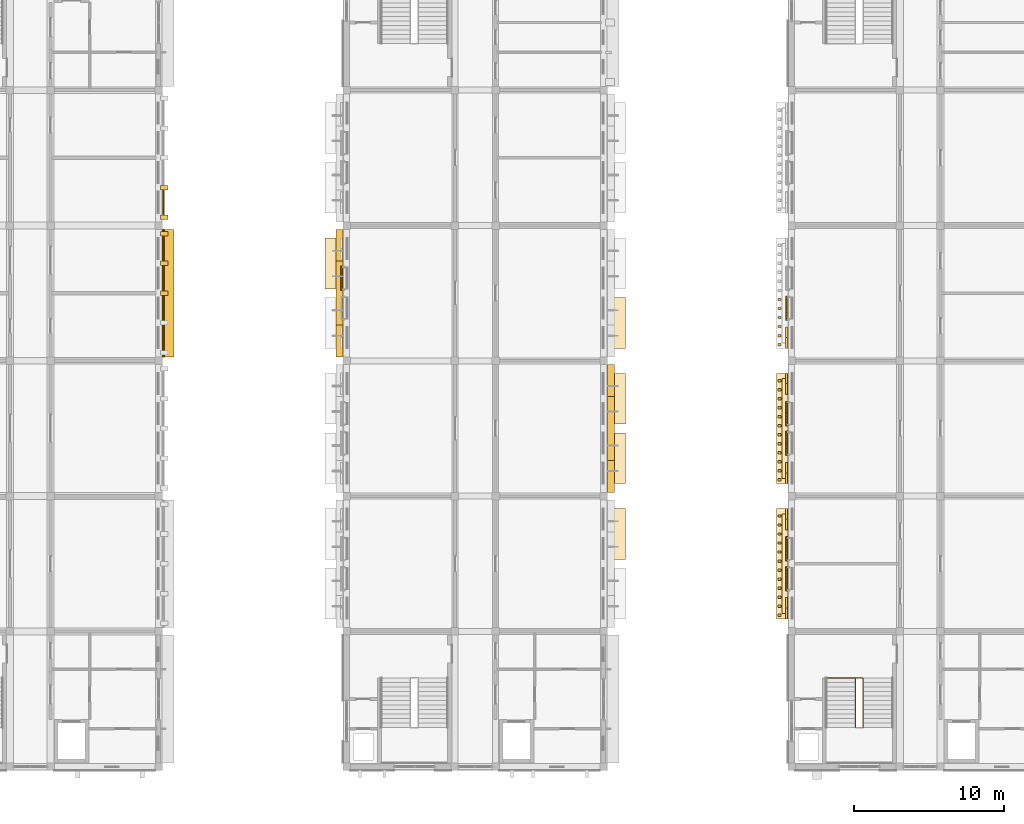
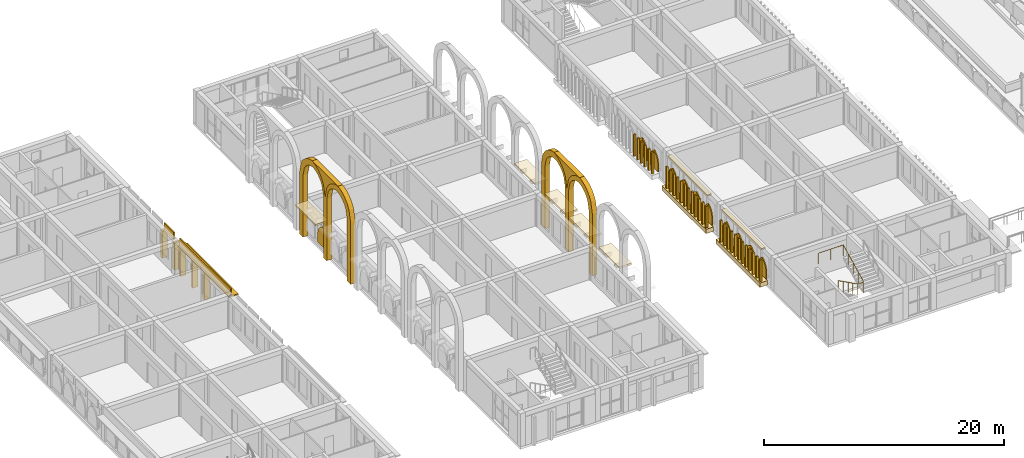
# One storey, part 59 of 70: 50 coverings, 12 shading devices, 1 railing.
"""IFC4 building model written with IfcOpenShell, lengths in metres."""

from ifc_helpers import new_model, si_unit, direction, frame, origin, origin_2d, place, context, subcontext, project, spatial, polyline, rectangle, circle, outline, extrude, material, layer, layer_set, type_object, element, save


model = new_model("IFC4")

# Units and contexts
model_context = context("Model", 3, precision=1e-05, world=origin(), true_north=direction((0.0, 1.0)))
body_context = subcontext(model_context, "Body", "Model", "MODEL_VIEW")
ifc_project = project(units=[si_unit("LENGTHUNIT", "METRE"), si_unit("AREAUNIT", "SQUARE_METRE"), si_unit("VOLUMEUNIT", "CUBIC_METRE"), si_unit("PLANEANGLEUNIT", "RADIAN"), si_unit("MASSUNIT", "GRAM", prefix="KILO")], contexts=[model_context])

# Site, building, storey
site_placement = place(None, origin())
site = spatial("IfcSite", under=ifc_project, at=site_placement, CompositionType="ELEMENT")
building_placement = place(site_placement, origin())
building = spatial("IfcBuilding", under=site, at=building_placement, Name="Elbe Cascade School", CompositionType="ELEMENT")
storey_placement = place(building_placement, frame((0.0, 0.0, 8.10009765625)))
storey = spatial("IfcBuildingStorey", under=building, at=storey_placement, Name="L02", CompositionType="ELEMENT", Elevation=8.10009765625)

# Railing
ifc_material_1 = material(Name="Steel S355J2H, painted", Category="steel")
railing_type = type_object("IfcRailingType", Name="Bar stair guard 1100", PredefinedType="GUARDRAIL", material=ifc_material_1)
railing_placement = place(storey_placement, frame((132.449951171875, 11.89990234375, 0.14990234375)))
element("IfcRailing", 1, at=railing_placement, inside=storey, type_object=railing_type, Name="Stair guard C2.S", PredefinedType="GUARDRAIL", context=body_context, shape_type="SweptSolid", body=[
    extrude(circle(Radius=0.02392578125, at=origin_2d()), frame((0.0, 0.0, 1.09619140625), z_axis=(0.0, -0.894427191, 0.4472135955), x_axis=(1.0, 0.0, 0.0)), (0.0, 0.0, 1.0), 3.689208984375),
    extrude(circle(Radius=0.02392578125, at=origin_2d()), frame((0.0, -3.2998046875, 2.74609375), z_axis=(1.0, 0.0, 0.0), x_axis=(0.0, 1.0, 0.0)), (0.0, 0.0, 1.0), 0.5),
    extrude(circle(Radius=0.02392578125, at=origin_2d()), frame((0.5, -3.2998046875, 2.74609375), z_axis=(0.0, 0.0, 1.0), x_axis=(1.0, 0.0, 0.0)), (0.0, 0.0, 1.0), 0.150146484375),
    extrude(circle(Radius=0.02392578125, at=origin_2d()), frame((0.5, -3.2998046875, 2.89599609375), z_axis=(0.0, 0.894427191, 0.4472135955), x_axis=(-1.0, 0.0, 0.0)), (0.0, 0.0, 1.0), 3.689208984375),
    extrude(circle(Radius=0.02392578125, at=origin_2d()), frame((0.5, 0.0, 4.5458984375), z_axis=(-1.0, 0.0, 0.0), x_axis=(0.0, -1.0, 0.0)), (0.0, 0.0, 1.0), 2.389892578125),
    extrude(circle(Radius=0.02099609375, at=origin_2d()), origin(), (0.0, 0.0, 1.0), 1.072021484375),
    extrude(circle(Radius=0.02099609375, at=origin_2d()), frame((0.0, -0.824951171875, 0.41259765625)), (0.0, 0.0, 1.0), 1.072021484375),
    extrude(circle(Radius=0.02099609375, at=origin_2d()), frame((0.0, -1.64990234375, 0.824951171875)), (0.0, 0.0, 1.0), 1.072021484375),
    extrude(circle(Radius=0.02099609375, at=origin_2d()), frame((0.0, -2.474853515625, 1.2373046875)), (0.0, 0.0, 1.0), 1.072021484375),
    extrude(circle(Radius=0.02099609375, at=origin_2d()), frame((0.0, -3.2998046875, 1.64990234375)), (0.0, 0.0, 1.0), 1.072021484375),
    extrude(circle(Radius=0.02099609375, at=origin_2d()), frame((0.5, -3.2998046875, 1.64990234375)), (0.0, 0.0, 1.0), 1.072021484375),
    extrude(circle(Radius=0.02099609375, at=origin_2d()), frame((0.5, -3.2998046875, 1.800048828125)), (0.0, 0.0, 1.0), 1.072021484375),
    extrude(circle(Radius=0.02099609375, at=origin_2d()), frame((0.5, -2.474853515625, 2.21240234375)), (0.0, 0.0, 1.0), 1.072021484375),
    extrude(circle(Radius=0.02099609375, at=origin_2d()), frame((0.5, -1.64990234375, 2.625)), (0.0, 0.0, 1.0), 1.072021484375),
    extrude(circle(Radius=0.02099609375, at=origin_2d()), frame((0.5, -0.824951171875, 3.03759765625)), (0.0, 0.0, 1.0), 1.072021484375),
    extrude(circle(Radius=0.02099609375, at=origin_2d()), frame((0.5, 0.0, 3.449951171875)), (0.0, 0.0, 1.0), 1.072021484375),
    extrude(circle(Radius=0.02099609375, at=origin_2d()), frame((-0.69482421875, 0.0, 3.449951171875)), (0.0, 0.0, 1.0), 1.072021484375),
    extrude(circle(Radius=0.02099609375, at=origin_2d()), frame((-1.889892578125, 0.0, 3.449951171875)), (0.0, 0.0, 1.0), 1.072021484375),
])

# Shading devices
ifc_material_2 = material(Name="Precast concrete C30/37", Category="concrete")
ifc_layer_1 = layer(ifc_material_2, 0.1201171875)
ifc_layer_set_1 = layer_set([ifc_layer_1], Name="Precast concrete C30/37")
shading_device_type_1 = type_object("IfcShadingDeviceType", Name="Bars envelope Chhajja eave, precast concrete, 900 x 120", PredefinedType="USERDEFINED", material=ifc_layer_set_1)
shading_device_1_placement = place(storey_placement, frame((86.669921875, 37.5, 2.729736328125), z_axis=(0.0, 0.0, 1.0), x_axis=(0.0, 1.0, 0.0)))
element("IfcShadingDevice", 2, at=shading_device_1_placement, inside=storey, type_object=shading_device_type_1, Name="Chhajja eave SD2 A.L02.e4", ObjectType="CHHAJJA", PredefinedType="USERDEFINED", context=body_context, shape_type="SweptSolid", body=[
    extrude(rectangle(XDim=8.5, YDim=0.89990234375, at=origin_2d()), origin(), (0.0, 0.0, 1.0), 0.1201171875),
])
ifc_material_3 = material(Name="Precast concrete C40/50", Category="concrete")
ifc_layer_2 = layer(ifc_material_3, 0.10009765625)
ifc_layer_set_2 = layer_set([ifc_layer_2], Name="Precast concrete C40/50")
shading_device_type_2 = type_object("IfcShadingDeviceType", Name="Bars envelope Jali screen 1400 x 1840, pointed arch rise 1200, pierced precast concrete", PredefinedType="USERDEFINED", material=ifc_layer_set_2)
shading_device_2_placement = place(storey_placement, frame((127.800048828125, 15.830078125, 1.239990234375), z_axis=(-1.0, 0.0, 0.0), x_axis=(0.0, 0.178010233327, 0.984028636184)))
element("IfcShadingDevice", 3, at=shading_device_2_placement, inside=storey, type_object=shading_device_type_2, Name="Jali screen SD6 C.L02.w2.1", ObjectType="JALI", PredefinedType="USERDEFINED", context=body_context, shape_type="SweptSolid", body=[
    extrude(outline(polyline([(0.0, 0.0), (0.4909961754247877, 0.0), (0.6925015045111531, 0.05236873319310516), (0.8428788821146216, 0.11423458756170396), (0.9653448017027789, 0.1809015060000636), (1.0691153542525929, 0.2511985091151042), (1.1586682066636846, 0.32381938311151803), (1.2366894734944909, 0.3985263145297321), (1.3053847865709356, 0.4751684089694145), (1.267849956232629, 0.5707793741352497), (1.2209891721399608, 0.6683255023225533), (1.1625533429373862, 0.767717446565401), (1.0899432731257104, 0.8696735030558779), (0.9986378362756912, 0.9752596442230361), (0.8794209414103609, 1.0856468494599547), (0.7090760950621335, 1.205531175872367), (0.2491969428458631, 1.3775439941116288), (-0.38071591947724304, 1.491494880777456), (-0.6299128623231062, 0.11395088666582719), (0.0, 0.0)])), origin(), (0.0, 0.0, -1.0), 0.10009765625),
])
shading_device_3_placement = place(storey_placement, frame((127.800048828125, 21.77001953125, 1.239990234375), z_axis=(-1.0, 0.0, 0.0), x_axis=(0.0, 0.178010233327, 0.984028636184)))
element("IfcShadingDevice", 4, at=shading_device_3_placement, inside=storey, type_object=shading_device_type_2, Name="Jali screen SD6 C.L02.w2.4", ObjectType="JALI", PredefinedType="USERDEFINED", context=body_context, shape_type="SweptSolid", body=[
    extrude(outline(polyline([(0.0, 0.0), (0.4909961754247877, 0.0), (0.6925449640407739, 0.05260897455936113), (0.8428788821146216, 0.11423458756170396), (0.9653882612323997, 0.18114174736631955), (1.0691153542525929, 0.2511985091151042), (1.1586682066636846, 0.32381938311151803), (1.2367329330241117, 0.3987665558959881), (1.3053847865709356, 0.4751684089694145), (1.26789341576225, 0.5710196155015056), (1.2209891721399608, 0.6683255023225533), (1.1625533429373862, 0.767717446565401), (1.0899867326553312, 0.869913744422134), (0.9986378362756912, 0.9752596442230361), (0.8794644009399817, 1.0858870908262108), (0.7090760950621335, 1.205531175872367), (0.2491969428458631, 1.3775439941116288), (-0.38071591947724304, 1.491494880777456), (-0.6299128623231062, 0.11395088666582719), (0.0, 0.0)])), origin(), (0.0, 0.0, -1.0), 0.10009765625),
])
shading_device_4_placement = place(storey_placement, frame((127.800048828125, 24.830078125, 1.239990234375), z_axis=(-1.0, 0.0, 0.0), x_axis=(0.0, 0.178010233327, 0.984028636184)))
element("IfcShadingDevice", 5, at=shading_device_4_placement, inside=storey, type_object=shading_device_type_2, Name="Jali screen SD6 C.L02.w3.1", ObjectType="JALI", PredefinedType="USERDEFINED", context=body_context, shape_type="SweptSolid", body=[
    extrude(outline(polyline([(0.0, 0.0), (0.4909961754247877, 0.0), (0.6925015045111531, 0.05236873319310516), (0.8428788821146216, 0.11423458756170396), (0.9653448017027789, 0.1809015060000636), (1.0691153542525929, 0.2511985091151042), (1.1586682066636846, 0.32381938311151803), (1.2366894734944909, 0.3985263145297321), (1.3053847865709356, 0.4751684089694145), (1.267849956232629, 0.5707793741352497), (1.2209891721399608, 0.6683255023225533), (1.1625533429373862, 0.767717446565401), (1.0899432731257104, 0.8696735030558779), (0.9986378362756912, 0.9752596442230361), (0.8794209414103609, 1.0856468494599547), (0.7090760950621335, 1.205531175872367), (0.2491969428458631, 1.3775439941116288), (-0.38071591947724304, 1.491494880777456), (-0.6299128623231062, 0.11395088666582719), (0.0, 0.0)])), origin(), (0.0, 0.0, -1.0), 0.10009765625),
])
shading_device_5_placement = place(storey_placement, frame((127.800048828125, 30.77001953125, 1.239990234375), z_axis=(-1.0, 0.0, 0.0), x_axis=(0.0, 0.178010233327, 0.984028636184)))
element("IfcShadingDevice", 6, at=shading_device_5_placement, inside=storey, type_object=shading_device_type_2, Name="Jali screen SD6 C.L02.w3.4", ObjectType="JALI", PredefinedType="USERDEFINED", context=body_context, shape_type="SweptSolid", body=[
    extrude(outline(polyline([(0.0, 0.0), (0.4909961754247877, 0.0), (0.6925449640407739, 0.05260897455936113), (0.8428788821146216, 0.11423458756170396), (0.9653882612323997, 0.18114174736631955), (1.0691153542525929, 0.2511985091151042), (1.1586682066636846, 0.32381938311151803), (1.2367329330241117, 0.3987665558959881), (1.3053847865709356, 0.4751684089694145), (1.26789341576225, 0.5710196155015056), (1.2209891721399608, 0.6683255023225533), (1.1625533429373862, 0.767717446565401), (1.0899867326553312, 0.869913744422134), (0.9986378362756912, 0.9752596442230361), (0.8794644009399817, 1.0858870908262108), (0.7090760950621335, 1.205531175872367), (0.2491969428458631, 1.3775439941116288), (-0.38071591947724304, 1.491494880777456), (-0.6299128623231062, 0.11395088666582719), (0.0, 0.0)])), origin(), (0.0, 0.0, -1.0), 0.10009765625),
])
shading_device_6_placement = place(storey_placement, frame((127.800048828125, 33.830078125, 1.239990234375), z_axis=(-1.0, 0.0, 0.0), x_axis=(0.0, 0.178010233327, 0.984028636184)))
element("IfcShadingDevice", 7, at=shading_device_6_placement, inside=storey, type_object=shading_device_type_2, Name="Jali screen SD6 C.L02.w4.1", ObjectType="JALI", PredefinedType="USERDEFINED", context=body_context, shape_type="SweptSolid", body=[
    extrude(outline(polyline([(0.0, 0.0), (0.4909961754247877, 0.0), (0.6925015045111531, 0.05236873319310516), (0.8428788821146216, 0.11423458756170396), (0.9653448017027789, 0.1809015060000636), (1.0691153542525929, 0.2511985091151042), (1.1586682066636846, 0.32381938311151803), (1.2366894734944909, 0.3985263145297321), (1.3053847865709356, 0.4751684089694145), (1.267849956232629, 0.5707793741352497), (1.2209891721399608, 0.6683255023225533), (1.1625533429373862, 0.767717446565401), (1.0899432731257104, 0.8696735030558779), (0.9986378362756912, 0.9752596442230361), (0.8794209414103609, 1.0856468494599547), (0.7090760950621335, 1.205531175872367), (0.2491969428458631, 1.3775439941116288), (-0.38071591947724304, 1.491494880777456), (-0.6299128623231062, 0.11395088666582719), (0.0, 0.0)])), origin(), (0.0, 0.0, -1.0), 0.10009765625),
])
ifc_material_4 = material(Name="Precast concrete C40/50", Category="concrete")
ifc_layer_3 = layer(ifc_material_4, 0.10009765625)
ifc_layer_set_3 = layer_set([ifc_layer_3], Name="Precast concrete C40/50")
shading_device_type_3 = type_object("IfcShadingDeviceType", Name="Bars envelope Jali screen 1600 x 1840, pointed arch rise 1200, pierced precast concrete", PredefinedType="USERDEFINED", material=ifc_layer_set_3)
for number, where, z_axis, x_axis, name in (
    (8, (127.800048828125, 17.7099609375, 1.239990234375), (-1.0, 0.0, 0.0), (0.0, 0.196300278283, 0.98054382908), "Jali screen SD7 C.L02.w2.2"),
    (9, (127.800048828125, 19.68994140625, 1.239990234375), (-1.0, 0.0, 0.0), (0.0, 0.196300278283, 0.98054382908), "Jali screen SD7 C.L02.w2.3"),
    (10, (127.800048828125, 26.7099609375, 1.239990234375), (-1.0, 0.0, 0.0), (0.0, 0.196300278283, 0.98054382908), "Jali screen SD7 C.L02.w3.2"),
    (11, (127.800048828125, 28.68994140625, 1.239990234375), (-1.0, 0.0, 0.0), (0.0, 0.196300278283, 0.98054382908), "Jali screen SD7 C.L02.w3.3"),
    (12, (127.800048828125, 35.7099609375, 1.239990234375), (-1.0, 0.0, 0.0), (0.0, 0.196300278283, 0.98054382908), "Jali screen SD7 C.L02.w4.2"),
):
    element("IfcShadingDevice", number, at=place(storey_placement, frame(where, z_axis=z_axis, x_axis=x_axis)), inside=storey, type_object=shading_device_type_3, Name=name, ObjectType="JALI", PredefinedType="USERDEFINED", context=body_context, shape_type="SweptSolid", body=[
        extrude(outline(polyline([(0.0, 0.0), (0.509921112317134, 0.0), (0.7184015554229473, 0.06009802405484588), (0.8733064327485943, 0.13117061016154), (0.9982874871653163, 0.20823380534668107), (1.102872417131342, 0.2891312241218946), (1.1917054934740825, 0.37343107507379947), (1.268281725197354, 0.45993570394643946), (1.3336545243794973, 0.5489321924158467), (1.3075801207519657, 0.6562359822289878), (1.2702064348380508, 0.7655528504723534), (1.220671754049922, 0.877553277802997), (1.155289369893253, 0.9924773561437888), (1.0696067110311427, 1.1117144392411962), (0.9540002292601073, 1.2369421314170506), (0.7847223319636507, 1.37266560447821), (0.31409961520112845, 1.5689658827607584), (-0.3135824941364835, 1.6946248987902608), (-0.6276821093376119, 0.12565901602950239), (0.0, 0.0)])), origin(), (0.0, 0.0, -1.0), 0.10009765625),
    ])
ifc_material_5 = material(Name="Precast concrete C40/50", Category="concrete")
ifc_layer_4 = layer(ifc_material_5, 0.10009765625)
ifc_layer_set_4 = layer_set([ifc_layer_4], Name="Precast concrete C40/50")
shading_device_type_4 = type_object("IfcShadingDeviceType", Name="Bars envelope Jali screen 1600 x 1940, pointed arch rise 1200, pierced precast concrete", PredefinedType="USERDEFINED", material=ifc_layer_set_4)
shading_device_7_placement = place(storey_placement, frame((98.199951171875, 37.68994140625, 1.33984375), z_axis=(-1.0, 0.0, 0.0), x_axis=(0.0, 0.196300278283, 0.98054382908)))
element("IfcShadingDevice", 13, at=shading_device_7_placement, inside=storey, type_object=shading_device_type_4, Name="Jali screen SD4 B.L02.w4.3", ObjectType="JALI", PredefinedType="USERDEFINED", context=body_context, shape_type="SweptSolid", body=[
    extrude(outline(polyline([(0.0, 0.0), (0.509921112317134, 0.0), (0.7186409460062186, 0.06005009918221829), (0.8735458233318658, 0.1311226852889124), (0.9985268777485877, 0.20818588047405348), (1.102872417131342, 0.2891312241218946), (1.1919448840573539, 0.37338315020117196), (1.268281725197354, 0.45993570394643946), (1.3336545243794973, 0.5489321924158467), (1.3075801207519657, 0.6562359822289878), (1.270445825421322, 0.7655049255997259), (1.220671754049922, 0.877553277802997), (1.1555287604765243, 0.9924294312711612), (1.069846101614414, 1.1116665143685687), (0.9542396198433787, 1.2368942065444228), (0.7847223319636507, 1.37266560447821), (0.31409961520112845, 1.5689658827607584), (-0.41149324269448634, 1.7142261716949392), (-0.7255928578956148, 0.1452602889341807), (0.0, 0.0)])), origin(), (0.0, 0.0, -1.0), 0.10009765625),
])

# Coverings
ifc_material_6 = material(Name="Precast concrete C40/50", Category="concrete")
covering_type_1 = type_object("IfcCoveringType", Name="Bars envelope Precast concrete fin, 300 wide, 500 deep", PredefinedType="CLADDING", material=ifc_material_6)
for number, where, z_axis, x_axis, name in (
    (14, (86.469970703125, 37.5, 0.0), (0.0, 0.0, 1.0), (0.0, 1.0, 0.0), "Fin CV51 A.L02.e4.3"),
    (15, (86.469970703125, 39.47998046875, 0.0), (0.0, 0.0, 1.0), (0.0, 1.0, 0.0), "Fin CV51 A.L02.e4.4"),
    (16, (86.469970703125, 41.4599609375, 0.0), (0.0, 0.0, 1.0), (0.0, 1.0, 0.0), "Fin CV51 A.L02.e4.5"),
    (17, (86.469970703125, 42.5400390625, 0.0), (0.0, 0.0, 1.0), (0.0, 1.0, 0.0), "Fin CV51 A.L02.e5.1"),
    (18, (86.469970703125, 44.52001953125, 0.0), (0.0, 0.0, 1.0), (0.0, 1.0, 0.0), "Fin CV51 A.L02.e5.2"),
):
    element("IfcCovering", number, at=place(storey_placement, frame(where, z_axis=z_axis, x_axis=x_axis)), inside=storey, type_object=covering_type_1, Name=name, PredefinedType="CLADDING", context=body_context, shape_type="SweptSolid", body=[
        extrude(rectangle(XDim=0.300048828125, YDim=0.5, at=origin_2d()), origin(), (0.0, 0.0, 1.0), 2.72998046875),
    ])
ifc_material_7 = material(Name="Sandstone - red", Category="masonry")
covering_type_2 = type_object("IfcCoveringType", Name="Bars envelope Sandstone arch frame double, 8500 wide, 450 deep", PredefinedType="CLADDING", material=ifc_material_7)
covering_1_placement = place(storey_placement, frame((97.89990234375, 33.25, 0.0), z_axis=(-1.0, 0.0, 0.0), x_axis=(0.0, 0.0, 1.0)))
element("IfcCovering", 19, at=covering_1_placement, inside=storey, type_object=covering_type_2, Name="Arch frame CV58 B.L02.w4", PredefinedType="CLADDING", context=body_context, shape_type="SweptSolid", body=[
    extrude(outline(polyline([(0.0, 0.0), (6.2998046875, 0.0), (7.401611328125, 0.265625), (7.81201171875, 0.53125), (8.093994140625, 0.796875), (8.302001953125, 1.0625), (8.458251953125, 1.328125), (8.572998046875, 1.59375), (8.65234375, 1.859375), (8.699951171875, 2.125), (8.65234375, 2.390625), (8.572998046875, 2.65625), (8.458251953125, 2.921875), (8.302001953125, 3.1875), (8.093994140625, 3.453125), (7.81201171875, 3.71875), (7.401611328125, 3.984375), (6.2998046875, 4.25), (7.401611328125, 4.515625), (7.81201171875, 4.78125), (8.093994140625, 5.046875), (8.302001953125, 5.3125), (8.458251953125, 5.578125), (8.572998046875, 5.84375), (8.65234375, 6.109375), (8.699951171875, 6.375), (8.65234375, 6.640625), (8.572998046875, 6.90625), (8.458251953125, 7.171875), (8.302001953125, 7.4375), (8.093994140625, 7.703125), (7.81201171875, 7.96875), (7.401611328125, 8.234375), (6.2998046875, 8.5), (0.0, 8.5), (0.0, 7.919921875), (6.2998046875, 7.919921875), (7.152099609375, 7.708740234375), (7.467529296875, 7.49755859375), (7.6826171875, 7.2861328125), (7.839599609375, 7.074951171875), (7.955078125, 6.86376953125), (8.03759765625, 6.652587890625), (8.091796875, 6.441162109375), (8.119873046875, 6.22998046875), (8.091796875, 6.018798828125), (8.03759765625, 5.8076171875), (7.955078125, 5.59619140625), (7.839599609375, 5.385009765625), (7.6826171875, 5.173583984375), (7.467529296875, 4.96240234375), (7.152099609375, 4.751220703125), (6.2998046875, 4.5400390625), (0.0, 4.5400390625), (0.0, 3.9599609375), (6.2998046875, 3.9599609375), (7.152099609375, 3.748779296875), (7.467529296875, 3.53759765625), (7.6826171875, 3.326171875), (7.839599609375, 3.114990234375), (7.955078125, 2.90380859375), (8.03759765625, 2.6923828125), (8.091796875, 2.481201171875), (8.119873046875, 2.27001953125), (8.091796875, 2.05859375), (8.03759765625, 1.847412109375), (7.955078125, 1.63623046875), (7.839599609375, 1.425048828125), (7.6826171875, 1.213623046875), (7.467529296875, 1.00244140625), (7.152099609375, 0.791259765625), (6.2998046875, 0.580078125), (0.0, 0.580078125), (0.0, 0.0)])), origin(), (0.0, 0.0, -1.0), 0.449951171875),
])
covering_2_placement = place(storey_placement, frame((116.39990234375, 24.830078125, 0.0), z_axis=(1.0, 0.0, 0.0), x_axis=(0.0, 0.0, 1.0)))
element("IfcCovering", 20, at=covering_2_placement, inside=storey, type_object=covering_type_2, Name="Arch frame CV58 B.L02.e3", PredefinedType="CLADDING", context=body_context, shape_type="SweptSolid", body=[
    extrude(outline(polyline([(0.0, 0.0), (6.2998046875, 0.0), (7.152099609375, -0.211181640625), (7.467529296875, -0.42236328125), (7.6826171875, -0.6337890625), (7.839599609375, -0.844970703125), (7.955078125, -1.05615234375), (8.03759765625, -1.267333984375), (8.091796875, -1.478515625), (8.119873046875, -1.68994140625), (8.091796875, -1.901123046875), (8.03759765625, -2.1123046875), (7.955078125, -2.32373046875), (7.839599609375, -2.534912109375), (7.6826171875, -2.74609375), (7.467529296875, -2.95751953125), (7.152099609375, -3.168701171875), (6.2998046875, -3.3798828125), (0.0, -3.3798828125), (0.0, -3.9599609375), (6.2998046875, -3.9599609375), (7.152099609375, -4.171142578125), (7.467529296875, -4.38232421875), (7.6826171875, -4.59375), (7.839599609375, -4.804931640625), (7.955078125, -5.01611328125), (8.03759765625, -5.2275390625), (8.091796875, -5.438720703125), (8.119873046875, -5.64990234375), (8.091796875, -5.861328125), (8.03759765625, -6.072509765625), (7.955078125, -6.28369140625), (7.839599609375, -6.494873046875), (7.6826171875, -6.7060546875), (7.467529296875, -6.91748046875), (7.152099609375, -7.128662109375), (6.2998046875, -7.33984375), (0.0, -7.33984375), (0.0, -7.919921875), (6.2998046875, -7.919921875), (7.401611328125, -7.654296875), (7.81201171875, -7.388671875), (8.093994140625, -7.123046875), (8.302001953125, -6.857421875), (8.458251953125, -6.591796875), (8.572998046875, -6.326171875), (8.65234375, -6.060546875), (8.699951171875, -5.794921875), (8.65234375, -5.529296875), (8.572998046875, -5.263671875), (8.458251953125, -4.998046875), (8.302001953125, -4.732421875), (8.093994140625, -4.466796875), (7.81201171875, -4.201171875), (7.401611328125, -3.935546875), (6.2998046875, -3.669921875), (7.401611328125, -3.404296875), (7.81201171875, -3.138671875), (8.093994140625, -2.873046875), (8.302001953125, -2.607421875), (8.458251953125, -2.341796875), (8.572998046875, -2.076171875), (8.65234375, -1.810546875), (8.699951171875, -1.544921875), (8.65234375, -1.279296875), (8.572998046875, -1.013671875), (8.458251953125, -0.748046875), (8.302001953125, -0.482421875), (8.093994140625, -0.216796875), (7.81201171875, 0.048828125), (7.401611328125, 0.314453125), (6.2998046875, 0.580078125), (0.0, 0.580078125), (0.0, 0.0)])), origin(), (0.0, 0.0, -1.0), 0.449951171875),
])
ifc_material_8 = material(Name="Sandstone - red", Category="masonry")
covering_type_3 = type_object("IfcCoveringType", Name="Bars envelope Sandstone arch spandrel, 4250 wide, 450 deep", PredefinedType="CLADDING", material=ifc_material_8)
covering_3_placement = place(storey_placement, frame((97.89990234375, 37.5, 6.2998046875), z_axis=(-1.0, 0.0, 0.0), x_axis=(0.0, -0.234366782856, 0.972148245431)))
element("IfcCovering", 21, at=covering_3_placement, inside=storey, type_object=covering_type_3, Name="Arch spandrel CV59 B.L02.w4", PredefinedType="CLADDING", context=body_context, shape_type="SweptSolid", body=[
    extrude(outline(polyline([(0.0, 0.0), (1.1333730691834654, 0.0), (1.5945967655496798, -0.16204265845893395), (1.9309791589138199, -0.3541822231146897), (2.19544726556764, -0.5636589789826831), (2.409599105612259, -0.7852660468539583), (2.583402996017424, -1.0166002517089971), (2.722792458788938, -1.2562311322266582), (2.8313276071302806, -1.5033004116142559), (1.8352687799928786, 2.628329631465795), (1.851240985043711, 2.358945155468387), (1.8363588756643723, 2.082122280601041), (1.7870623386513826, 1.7970027300710736), (1.697417851998939, 1.5021560425573424), (1.557457098737294, 1.1951790430403295), (1.3455820587653293, 0.8708648523110788), (1.00886571579129, 0.5164537553850064), (0.0, 0.0)])), origin(), (0.0, 0.0, -1.0), 0.449951171875),
])
covering_4_placement = place(storey_placement, frame((116.39990234375, 28.765625, 7.401611328125), z_axis=(1.0, 0.0, 0.0), x_axis=(0.0, 0.543354809623, 0.839503157147)))
element("IfcCovering", 22, at=covering_4_placement, inside=storey, type_object=covering_type_3, Name="Arch spandrel CV59 B.L02.e3", PredefinedType="CLADDING", context=body_context, shape_type="SweptSolid", body=[
    extrude(outline(polyline([(0.0, 0.0), (0.4888610449301034, 2.7755575615628914e-17), (0.8699147996601779, -0.06977652096230302), (1.1888666362712244, -0.17974750171848036), (1.4643676258814988, -0.31784133883208776), (1.7050259551609652, -0.47848652302476646), (1.9159655447465072, -0.658366679726065), (2.100260747020255, -0.8554919841937122), (-0.20899719387665017, 2.71239643368101), (-0.10463515353828501, 2.4635356859143167), (-0.02691750051171382, 2.197429790381275), (0.0210814128209329, 1.9120889223396134), (0.03423766582277166, 1.6041967072188805), (0.003943071823838462, 1.2681816357407176), (-0.08845344029412289, 0.8919721044686806), (-0.2886572426121132, 0.44598605223434024), (-1.0692987746762668, -0.37567891134076503), (0.0, 0.0)])), origin(), (0.0, 0.0, -1.0), 0.449951171875),
])
ifc_material_9 = material(Name="Sandstone - red", Category="masonry")
covering_type_4 = type_object("IfcCoveringType", Name="Bars envelope Sandstone chhajja slab, 1200 deep", PredefinedType="CLADDING", material=ifc_material_9)
for number, where, z_axis, x_axis, name in (
    (23, (97.75, 39.47998046875, 3.419921875), (0.0, 0.0, 1.0), (0.0, 1.0, 0.0), "Chhajja slab CV61 B.L02.w3.2"),
    (24, (116.550048828125, 21.47998046875, 3.419921875), (0.0, 0.0, 1.0), (0.0, 1.0, 0.0), "Chhajja slab CV61 B.L02.e1.2"),
    (25, (116.550048828125, 26.52001953125, 3.419921875), (0.0, 0.0, 1.0), (0.0, 1.0, 0.0), "Chhajja slab CV61 B.L02.e2.1"),
    (26, (116.550048828125, 30.47998046875, 3.419921875), (0.0, 0.0, 1.0), (0.0, 1.0, 0.0), "Chhajja slab CV61 B.L02.e2.2"),
    (27, (116.550048828125, 35.52001953125, 3.419921875), (0.0, 0.0, 1.0), (0.0, 1.0, 0.0), "Chhajja slab CV61 B.L02.e3.1"),
):
    element("IfcCovering", number, at=place(storey_placement, frame(where, z_axis=z_axis, x_axis=x_axis)), inside=storey, type_object=covering_type_4, Name=name, PredefinedType="CLADDING", context=body_context, shape_type="SweptSolid", body=[
        extrude(rectangle(XDim=3.3798828125, YDim=1.199951171875, at=origin_2d()), origin(), (0.0, 0.0, 1.0), 0.179931640625),
    ])
ifc_material_10 = material(Name="Sandstone - red", Category="masonry")
covering_type_5 = type_object("IfcCoveringType", Name="Bars envelope Sandstone floor ledge, 400 deep", PredefinedType="CLADDING", material=ifc_material_10)
for number, where, z_axis, x_axis, name in (
    (28, (127.75, 19.5, 3.4599609375), (0.0, 0.0, 1.0), (0.0, 1.0, 0.0), "Floor ledge CV64 C.L02.w1.1"),
    (29, (127.75, 28.5, 3.4599609375), (0.0, 0.0, 1.0), (0.0, 1.0, 0.0), "Floor ledge CV64 C.L02.w2.1"),
):
    element("IfcCovering", number, at=place(storey_placement, frame(where, z_axis=z_axis, x_axis=x_axis)), inside=storey, type_object=covering_type_5, Name=name, PredefinedType="CLADDING", context=body_context, shape_type="SweptSolid", body=[
        extrude(rectangle(XDim=6.639892578125, YDim=0.39990234375, at=origin_2d()), origin(), (0.0, 0.0, 1.0), 0.139892578125),
    ])
ifc_material_11 = material(Name="Sandstone - red", Category="masonry")
covering_type_6 = type_object("IfcCoveringType", Name="Bars envelope Sandstone planter kerb, 750 deep", PredefinedType="CLADDING", material=ifc_material_11)
for number, where, z_axis, x_axis, name in (
    (30, (127.574951171875, 19.5, 0.0), (0.0, 0.0, 1.0), (0.0, 1.0, 0.0), "Planter kerb CV65 C.L02.w1.1"),
    (31, (127.574951171875, 28.5, 0.0), (0.0, 0.0, 1.0), (0.0, 1.0, 0.0), "Planter kerb CV65 C.L02.w2.1"),
):
    element("IfcCovering", number, at=place(storey_placement, frame(where, z_axis=z_axis, x_axis=x_axis)), inside=storey, type_object=covering_type_6, Name=name, PredefinedType="CLADDING", context=body_context, shape_type="SweptSolid", body=[
        extrude(rectangle(XDim=7.340087890625, YDim=0.75, at=origin_2d()), origin(), (0.0, 0.0, 1.0), 0.449951171875),
    ])
ifc_material_12 = material(Name="Sandstone - red", Category="masonry")
covering_type_7 = type_object("IfcCoveringType", Name="Bars envelope Sandstone slat, 160 wide, 200 deep", PredefinedType="CLADDING", material=ifc_material_12)
for number, where, z_axis, x_axis, name in (
    (32, (127.39990234375, 16.080078125, 0.44970703125), (0.0, 0.0, 1.0), (0.0, 1.0, 0.0), "Slat CV66 C.L02.w1.1.1"),
    (33, (127.39990234375, 16.679931640625, 0.44970703125), (0.0, 0.0, 1.0), (0.0, 1.0, 0.0), "Slat CV66 C.L02.w1.1.2"),
    (34, (127.39990234375, 17.280029296875, 0.44970703125), (0.0, 0.0, 1.0), (0.0, 1.0, 0.0), "Slat CV66 C.L02.w1.1.3"),
    (35, (127.39990234375, 17.8798828125, 0.44970703125), (0.0, 0.0, 1.0), (0.0, 1.0, 0.0), "Slat CV66 C.L02.w1.1.4"),
    (36, (127.39990234375, 18.47998046875, 0.44970703125), (0.0, 0.0, 1.0), (0.0, 1.0, 0.0), "Slat CV66 C.L02.w1.1.5"),
    (37, (127.39990234375, 19.080078125, 0.44970703125), (0.0, 0.0, 1.0), (0.0, 1.0, 0.0), "Slat CV66 C.L02.w1.1.6"),
    (38, (127.39990234375, 19.679931640625, 0.44970703125), (0.0, 0.0, 1.0), (0.0, 1.0, 0.0), "Slat CV66 C.L02.w1.1.7"),
    (39, (127.39990234375, 20.280029296875, 0.44970703125), (0.0, 0.0, 1.0), (0.0, 1.0, 0.0), "Slat CV66 C.L02.w1.1.8"),
    (40, (127.39990234375, 20.8798828125, 0.44970703125), (0.0, 0.0, 1.0), (0.0, 1.0, 0.0), "Slat CV66 C.L02.w1.1.9"),
    (41, (127.39990234375, 21.47998046875, 0.44970703125), (0.0, 0.0, 1.0), (0.0, 1.0, 0.0), "Slat CV66 C.L02.w1.1.10"),
    (42, (127.39990234375, 22.080078125, 0.44970703125), (0.0, 0.0, 1.0), (0.0, 1.0, 0.0), "Slat CV66 C.L02.w1.1.11"),
    (43, (127.39990234375, 22.679931640625, 0.44970703125), (0.0, 0.0, 1.0), (0.0, 1.0, 0.0), "Slat CV66 C.L02.w1.1.12"),
    (44, (127.39990234375, 25.080078125, 0.44970703125), (0.0, 0.0, 1.0), (0.0, 1.0, 0.0), "Slat CV66 C.L02.w2.1.1"),
    (45, (127.39990234375, 25.679931640625, 0.44970703125), (0.0, 0.0, 1.0), (0.0, 1.0, 0.0), "Slat CV66 C.L02.w2.1.2"),
    (46, (127.39990234375, 26.280029296875, 0.44970703125), (0.0, 0.0, 1.0), (0.0, 1.0, 0.0), "Slat CV66 C.L02.w2.1.3"),
    (47, (127.39990234375, 26.8798828125, 0.44970703125), (0.0, 0.0, 1.0), (0.0, 1.0, 0.0), "Slat CV66 C.L02.w2.1.4"),
    (48, (127.39990234375, 27.47998046875, 0.44970703125), (0.0, 0.0, 1.0), (0.0, 1.0, 0.0), "Slat CV66 C.L02.w2.1.5"),
    (49, (127.39990234375, 28.080078125, 0.44970703125), (0.0, 0.0, 1.0), (0.0, 1.0, 0.0), "Slat CV66 C.L02.w2.1.6"),
    (50, (127.39990234375, 28.679931640625, 0.44970703125), (0.0, 0.0, 1.0), (0.0, 1.0, 0.0), "Slat CV66 C.L02.w2.1.7"),
    (51, (127.39990234375, 29.280029296875, 0.44970703125), (0.0, 0.0, 1.0), (0.0, 1.0, 0.0), "Slat CV66 C.L02.w2.1.8"),
    (52, (127.39990234375, 29.8798828125, 0.44970703125), (0.0, 0.0, 1.0), (0.0, 1.0, 0.0), "Slat CV66 C.L02.w2.1.9"),
    (53, (127.39990234375, 30.47998046875, 0.44970703125), (0.0, 0.0, 1.0), (0.0, 1.0, 0.0), "Slat CV66 C.L02.w2.1.10"),
    (54, (127.39990234375, 31.080078125, 0.44970703125), (0.0, 0.0, 1.0), (0.0, 1.0, 0.0), "Slat CV66 C.L02.w2.1.11"),
    (55, (127.39990234375, 31.679931640625, 0.44970703125), (0.0, 0.0, 1.0), (0.0, 1.0, 0.0), "Slat CV66 C.L02.w2.1.12"),
    (56, (127.39990234375, 34.080078125, 0.44970703125), (0.0, 0.0, 1.0), (0.0, 1.0, 0.0), "Slat CV66 C.L02.w3.1.1"),
    (57, (127.39990234375, 34.679931640625, 0.44970703125), (0.0, 0.0, 1.0), (0.0, 1.0, 0.0), "Slat CV66 C.L02.w3.1.2"),
    (58, (127.39990234375, 35.280029296875, 0.44970703125), (0.0, 0.0, 1.0), (0.0, 1.0, 0.0), "Slat CV66 C.L02.w3.1.3"),
    (59, (127.39990234375, 35.8798828125, 0.44970703125), (0.0, 0.0, 1.0), (0.0, 1.0, 0.0), "Slat CV66 C.L02.w3.1.4"),
    (60, (127.39990234375, 36.47998046875, 0.44970703125), (0.0, 0.0, 1.0), (0.0, 1.0, 0.0), "Slat CV66 C.L02.w3.1.5"),
    (61, (127.39990234375, 37.080078125, 0.44970703125), (0.0, 0.0, 1.0), (0.0, 1.0, 0.0), "Slat CV66 C.L02.w3.1.6"),
):
    element("IfcCovering", number, at=place(storey_placement, frame(where, z_axis=z_axis, x_axis=x_axis)), inside=storey, type_object=covering_type_7, Name=name, PredefinedType="CLADDING", context=body_context, shape_type="SweptSolid", body=[
        extrude(rectangle(XDim=0.159912109375, YDim=0.199951171875, at=origin_2d()), origin(), (0.0, 0.0, 1.0), 2.179931640625),
    ])
ifc_material_13 = material(Name="Sandstone - red", Category="masonry")
covering_type_8 = type_object("IfcCoveringType", Name="Bars envelope Sandstone spandrel band, 120 deep", PredefinedType="CLADDING", material=ifc_material_13)
covering_5_placement = place(storey_placement, frame((86.409912109375, 37.5, 2.849853515625), z_axis=(0.0, 0.0, 1.0), x_axis=(0.0, 1.0, 0.0)))
element("IfcCovering", 62, at=covering_5_placement, inside=storey, type_object=covering_type_8, Name="Spandrel band CV53 A.L02.e3.1", PredefinedType="CLADDING", context=body_context, shape_type="SweptSolid", body=[
    extrude(rectangle(XDim=8.5, YDim=0.1201171875, at=origin_2d()), origin(), (0.0, 0.0, 1.0), 0.75),
])
covering_6_placement = place(storey_placement, frame((86.409912109375, 43.530029296875, 2.849853515625), z_axis=(0.0, 0.0, 1.0), x_axis=(0.0, 1.0, 0.0)))
element("IfcCovering", 63, at=covering_6_placement, inside=storey, type_object=covering_type_8, Name="Spandrel band CV53 A.L02.e4.1", PredefinedType="CLADDING", context=body_context, shape_type="SweptSolid", body=[
    extrude(rectangle(XDim=1.639892578125, YDim=0.1201171875, at=origin_2d()), origin(), (0.0, 0.0, 1.0), 0.75),
])

save(model, "model.ifc")
